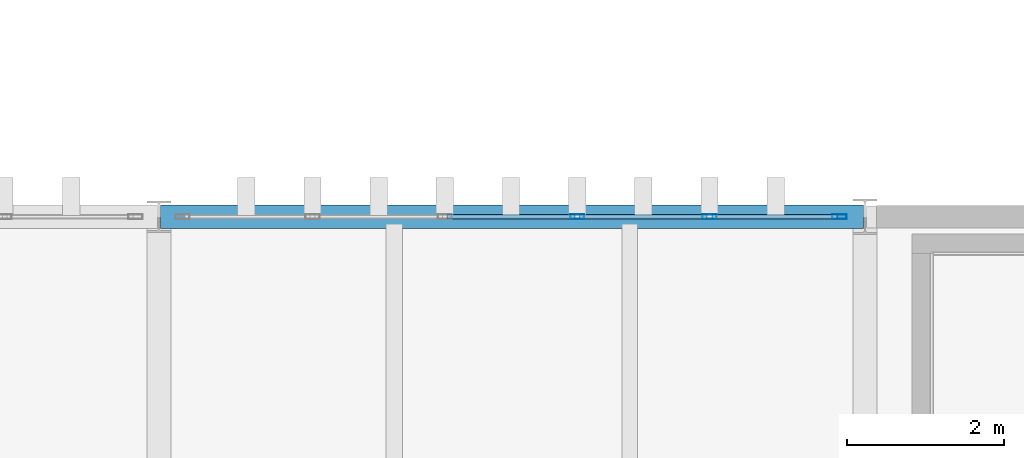
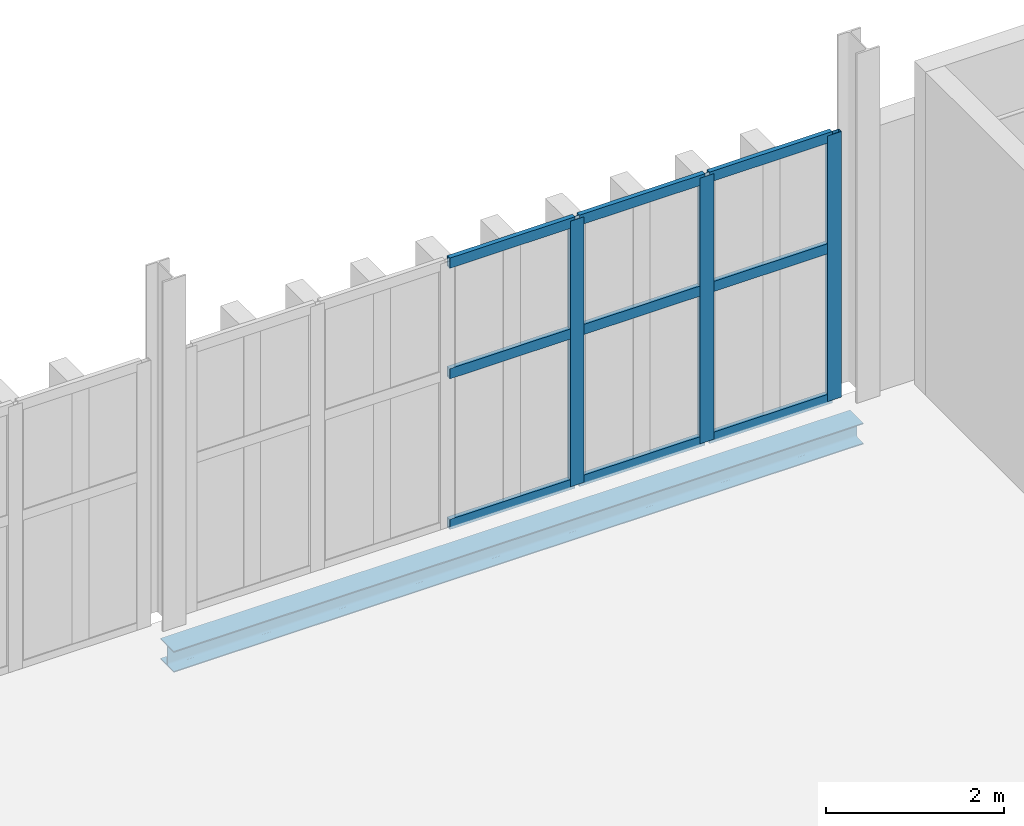
# One storey, part 146 of 196: 12 members, 1 beam, 1 element without a shape of its own.
"""IFC4 building model written with IfcOpenShell, lengths in metres."""

from ifc_helpers import new_model, si_unit, direction, frame, origin, origin_2d, place, context, subcontext, project, spatial, hollow_rectangle, i_section, extrude, material, layer, layer_set, material_profile, profile_set, type_object, element, aggregate, save


model = new_model("IFC4")

# Units and contexts
model_context = context("Model", 3, precision=1e-05, world=origin(), true_north=direction((0.0, 1.0)))
body_context = subcontext(model_context, "Body", "Model", "MODEL_VIEW")
ifc_project = project(units=[si_unit("LENGTHUNIT", "METRE"), si_unit("AREAUNIT", "SQUARE_METRE"), si_unit("VOLUMEUNIT", "CUBIC_METRE"), si_unit("PLANEANGLEUNIT", "RADIAN"), si_unit("MASSUNIT", "GRAM", prefix="KILO")], contexts=[model_context])

# Site, building, storey
site_placement = place(None, origin())
site = spatial("IfcSite", under=ifc_project, at=site_placement, CompositionType="ELEMENT")
building_placement = place(site_placement, origin())
building = spatial("IfcBuilding", under=site, at=building_placement, Name="Barlavento Convention Centre", CompositionType="ELEMENT")
storey_placement = place(building_placement, frame((0.0, 0.0, 18.0)))
storey = spatial("IfcBuildingStorey", under=building, at=storey_placement, Name="L03", CompositionType="ELEMENT", Elevation=18.0)

# Curtain wall, members
ifc_material_1 = material(Name="Powder-coated aluminium and Low-E glass", Category="aluminium")
ifc_layer = layer(ifc_material_1, 0.179931640625)
ifc_layer_set = layer_set([ifc_layer], Name="ARC-CW-CONF-L03")
curtain_wall_type = type_object("IfcCurtainWallType", Name="ARC-CW-CONF-L03", PredefinedType="NOTDEFINED", material=ifc_layer_set)
curtain_wall_placement = place(storey_placement, origin())
curtain_wall = element("IfcCurtainWall", 1, at=curtain_wall_placement, inside=storey, type_object=curtain_wall_type, Name="L03 unitised curtain wall CW08", PredefinedType="NOTDEFINED")
ifc_material_2 = material(Name="Powder-coated aluminium", Category="aluminium")
ifc_material_profile_1 = material_profile(ifc_material_2, hollow_rectangle(XDim=0.06005859375, YDim=0.179931640625, WallThickness=0.0048828125, at=origin_2d()), Name="AL-MULL 60x180x5")
ifc_profile_set_1 = profile_set([ifc_material_profile_1], Name="Powder-coated aluminium")
member_type_1 = type_object("IfcMemberType", Name="ARC-CWM-60X180", PredefinedType="MULLION", material=ifc_profile_set_1)
member_1_placement = place(storey_placement, frame((140.3310546875, 99.0, 0.0), z_axis=(0.0, 0.0, 1.0), x_axis=(0.0, 1.0, 0.0)))
member_1 = element("IfcMember", 2, at=member_1_placement, type_object=member_type_1, Name="CW08 mullion 4", PredefinedType="MULLION", context=body_context, shape_type="SweptSolid", body=[
    extrude(hollow_rectangle(XDim=0.06005859375, YDim=0.179931640625, WallThickness=0.0048828125, at=origin_2d()), origin(), (0.0, 0.0, 1.0), 3.64990234375),
])
member_2_placement = place(storey_placement, frame((142.01806640625, 99.0, 0.0), z_axis=(0.0, 0.0, 1.0), x_axis=(0.0, 1.0, 0.0)))
member_2 = element("IfcMember", 3, at=member_2_placement, type_object=member_type_1, Name="CW08 mullion 5", PredefinedType="MULLION", context=body_context, shape_type="SweptSolid", body=[
    extrude(hollow_rectangle(XDim=0.06005859375, YDim=0.179931640625, WallThickness=0.0048828125, at=origin_2d()), origin(), (0.0, 0.0, 1.0), 3.64990234375),
])
member_3_placement = place(storey_placement, frame((143.675048828125, 99.0, 0.0), z_axis=(0.0, 0.0, 1.0), x_axis=(0.0, 1.0, 0.0)))
member_3 = element("IfcMember", 4, at=member_3_placement, type_object=member_type_1, Name="CW08 mullion 6", PredefinedType="MULLION", context=body_context, shape_type="SweptSolid", body=[
    extrude(hollow_rectangle(XDim=0.06005859375, YDim=0.179931640625, WallThickness=0.0048828125, at=origin_2d()), origin(), (0.0, 0.0, 1.0), 3.64990234375),
])
ifc_material_profile_2 = material_profile(ifc_material_2, hollow_rectangle(XDim=0.06005859375, YDim=0.139892578125, WallThickness=0.00390625, at=origin_2d()), Name="AL-TRAN 60x140x4")
ifc_profile_set_2 = profile_set([ifc_material_profile_2], Name="Powder-coated aluminium")
member_type_2 = type_object("IfcMemberType", Name="ARC-CWT-60X140", PredefinedType="USERDEFINED", material=ifc_profile_set_2)
member_4_placement = place(storey_placement, frame((138.674072265625, 99.0, 0.030029296875), z_axis=(1.0, 0.0, 0.0), x_axis=(0.0, 1.0, 0.0)))
member_4 = element("IfcMember", 5, at=member_4_placement, type_object=member_type_2, Name="CW08 transom 3.1", ObjectType="TRANSOM", PredefinedType="USERDEFINED", context=body_context, shape_type="SweptSolid", body=[
    extrude(hollow_rectangle(XDim=0.06005859375, YDim=0.139892578125, WallThickness=0.00390625, at=origin_2d()), origin(), (0.0, 0.0, 1.0), 1.626953125),
])
member_5_placement = place(storey_placement, frame((138.674072265625, 99.0, 2.10009765625), z_axis=(1.0, 0.0, 0.0), x_axis=(0.0, 1.0, 0.0)))
member_5 = element("IfcMember", 6, at=member_5_placement, type_object=member_type_2, Name="CW08 transom 3.2", ObjectType="TRANSOM", PredefinedType="USERDEFINED", context=body_context, shape_type="SweptSolid", body=[
    extrude(hollow_rectangle(XDim=0.06005859375, YDim=0.139892578125, WallThickness=0.00390625, at=origin_2d()), origin(), (0.0, 0.0, 1.0), 1.626953125),
])
member_6_placement = place(storey_placement, frame((138.674072265625, 99.0, 3.6201171875), z_axis=(1.0, 0.0, 0.0), x_axis=(0.0, 1.0, 0.0)))
member_6 = element("IfcMember", 7, at=member_6_placement, type_object=member_type_2, Name="CW08 transom 3.3", ObjectType="TRANSOM", PredefinedType="USERDEFINED", context=body_context, shape_type="SweptSolid", body=[
    extrude(hollow_rectangle(XDim=0.06005859375, YDim=0.139892578125, WallThickness=0.00390625, at=origin_2d()), origin(), (0.0, 0.0, 1.0), 1.626953125),
])
member_7_placement = place(storey_placement, frame((140.361083984375, 99.0, 0.030029296875), z_axis=(1.0, 0.0, 0.0), x_axis=(0.0, 1.0, 0.0)))
member_7 = element("IfcMember", 8, at=member_7_placement, type_object=member_type_2, Name="CW08 transom 4.1", ObjectType="TRANSOM", PredefinedType="USERDEFINED", context=body_context, shape_type="SweptSolid", body=[
    extrude(hollow_rectangle(XDim=0.06005859375, YDim=0.139892578125, WallThickness=0.00390625, at=origin_2d()), origin(), (0.0, 0.0, 1.0), 1.626953125),
])
member_8_placement = place(storey_placement, frame((140.361083984375, 99.0, 2.10009765625), z_axis=(1.0, 0.0, 0.0), x_axis=(0.0, 1.0, 0.0)))
member_8 = element("IfcMember", 9, at=member_8_placement, type_object=member_type_2, Name="CW08 transom 4.2", ObjectType="TRANSOM", PredefinedType="USERDEFINED", context=body_context, shape_type="SweptSolid", body=[
    extrude(hollow_rectangle(XDim=0.06005859375, YDim=0.139892578125, WallThickness=0.00390625, at=origin_2d()), origin(), (0.0, 0.0, 1.0), 1.626953125),
])
member_9_placement = place(storey_placement, frame((140.361083984375, 99.0, 3.6201171875), z_axis=(1.0, 0.0, 0.0), x_axis=(0.0, 1.0, 0.0)))
member_9 = element("IfcMember", 10, at=member_9_placement, type_object=member_type_2, Name="CW08 transom 4.3", ObjectType="TRANSOM", PredefinedType="USERDEFINED", context=body_context, shape_type="SweptSolid", body=[
    extrude(hollow_rectangle(XDim=0.06005859375, YDim=0.139892578125, WallThickness=0.00390625, at=origin_2d()), origin(), (0.0, 0.0, 1.0), 1.626953125),
])
member_10_placement = place(storey_placement, frame((142.048095703125, 99.0, 0.030029296875), z_axis=(1.0, 0.0, 0.0), x_axis=(0.0, 1.0, 0.0)))
member_10 = element("IfcMember", 11, at=member_10_placement, type_object=member_type_2, Name="CW08 transom 5.1", ObjectType="TRANSOM", PredefinedType="USERDEFINED", context=body_context, shape_type="SweptSolid", body=[
    extrude(hollow_rectangle(XDim=0.06005859375, YDim=0.139892578125, WallThickness=0.00390625, at=origin_2d()), origin(), (0.0, 0.0, 1.0), 1.596923828125),
])
member_11_placement = place(storey_placement, frame((142.048095703125, 99.0, 2.10009765625), z_axis=(1.0, 0.0, 0.0), x_axis=(0.0, 1.0, 0.0)))
member_11 = element("IfcMember", 12, at=member_11_placement, type_object=member_type_2, Name="CW08 transom 5.2", ObjectType="TRANSOM", PredefinedType="USERDEFINED", context=body_context, shape_type="SweptSolid", body=[
    extrude(hollow_rectangle(XDim=0.06005859375, YDim=0.139892578125, WallThickness=0.00390625, at=origin_2d()), origin(), (0.0, 0.0, 1.0), 1.596923828125),
])
member_12_placement = place(storey_placement, frame((142.048095703125, 99.0, 3.6201171875), z_axis=(1.0, 0.0, 0.0), x_axis=(0.0, 1.0, 0.0)))
member_12 = element("IfcMember", 13, at=member_12_placement, type_object=member_type_2, Name="CW08 transom 5.3", ObjectType="TRANSOM", PredefinedType="USERDEFINED", context=body_context, shape_type="SweptSolid", body=[
    extrude(hollow_rectangle(XDim=0.06005859375, YDim=0.139892578125, WallThickness=0.00390625, at=origin_2d()), origin(), (0.0, 0.0, 1.0), 1.596923828125),
])
aggregate(curtain_wall, [member_1, member_2, member_3, member_4, member_5, member_6, member_7, member_8, member_9, member_10, member_11, member_12])

# Beam
ifc_material_3 = material(Name="Steel S355", Category="steel")
ifc_material_profile_3 = material_profile(ifc_material_3, i_section(OverallWidth=0.300048828125, OverallDepth=0.2900390625, WebThickness=0.008544921875, FlangeThickness=0.013916015625, FilletRadius=0.027099609375, at=origin_2d()), Name="HEA 300")
ifc_profile_set_3 = profile_set([ifc_material_profile_3], Name="Steel S355")
beam_type = type_object("IfcBeamType", Name="STR-BM-SPN-HEA300", PredefinedType="SPANDREL", material=ifc_profile_set_3)
beam_placement = place(storey_placement, frame((135.02001953125, 99.0, -0.5048828125), z_axis=(1.0, 0.0, 0.0), x_axis=(0.0, 1.0, 0.0)))
element("IfcBeam", 14, at=beam_placement, inside=storey, type_object=beam_type, Name="L03 primary girder SP02", PredefinedType="SPANDREL", context=body_context, shape_type="SweptSolid", body=[
    extrude(i_section(OverallWidth=0.300048828125, OverallDepth=0.2900390625, WebThickness=0.008544921875, FlangeThickness=0.013916015625, FilletRadius=0.027099609375, at=origin_2d()), origin(), (0.0, 0.0, 1.0), 8.9599609375),
])

save(model, "model.ifc")
